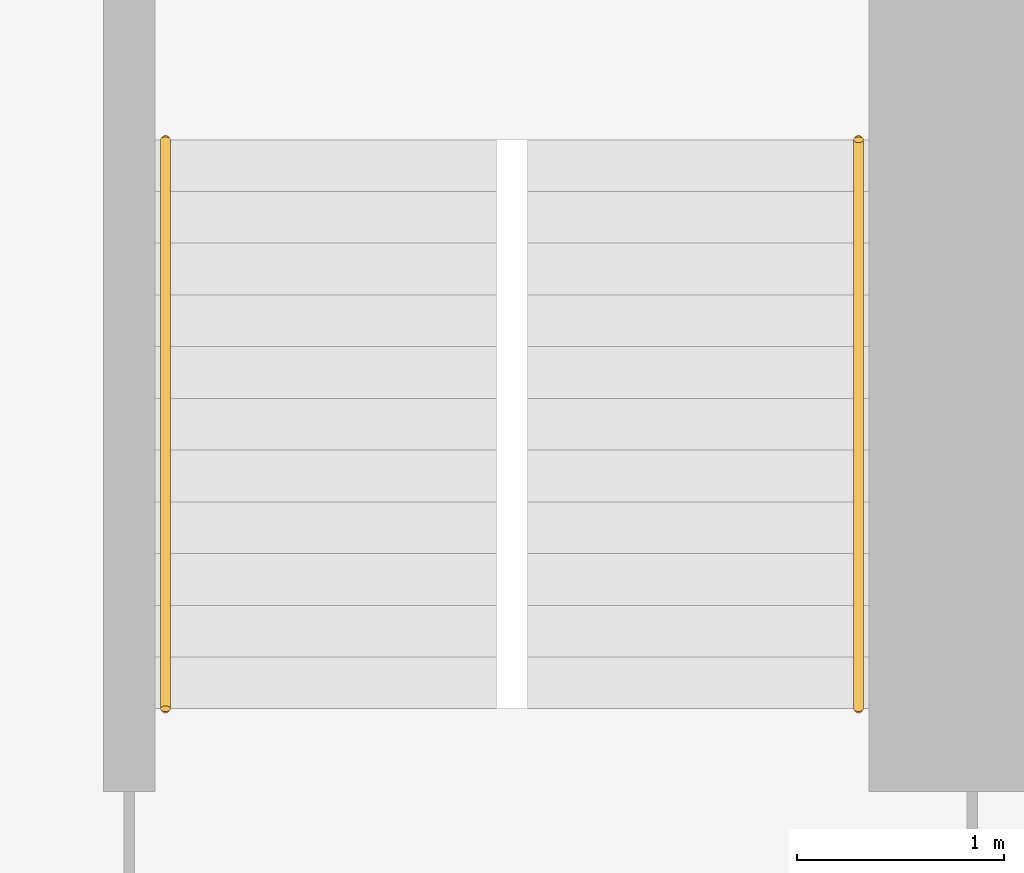
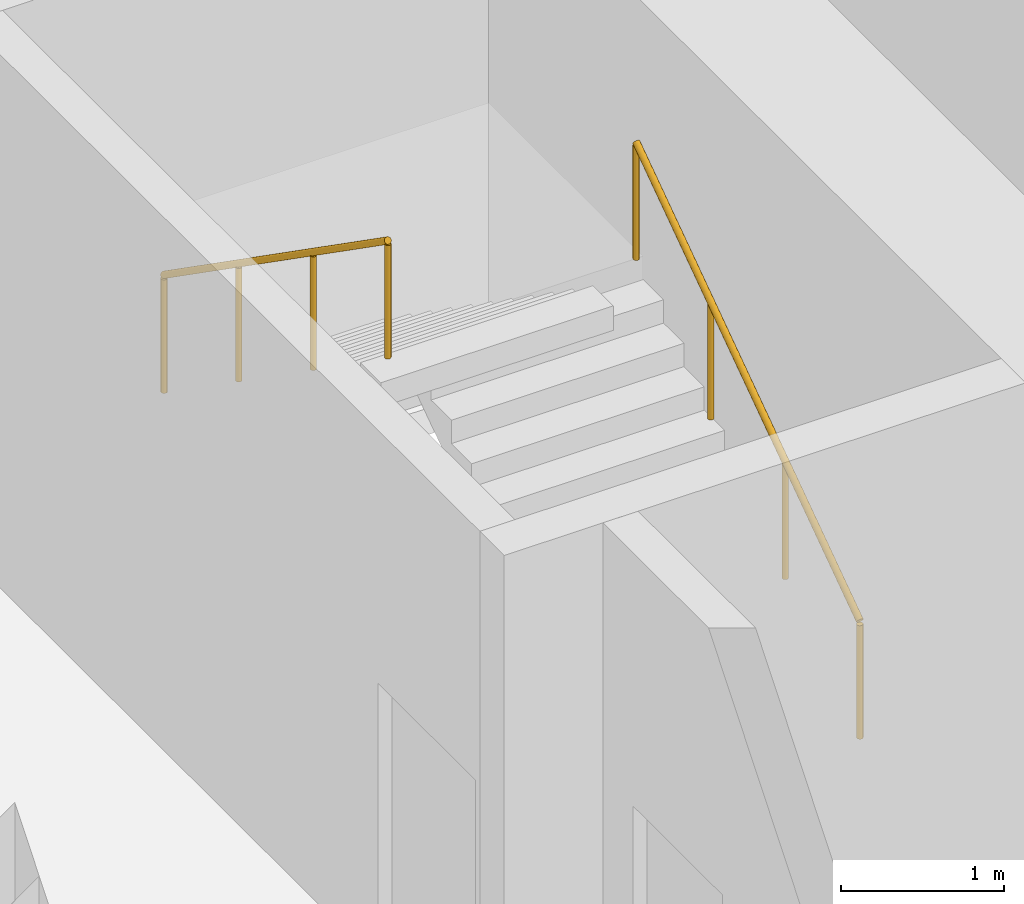
# One storey, part 10 of 10: 2 railings.
"""IFC4 building model written with IfcOpenShell, lengths in metres."""

from ifc_helpers import new_model, si_unit, direction, frame, origin, origin_2d, place, context, subcontext, project, spatial, circle, extrude, material, type_object, element, save


model = new_model("IFC4")

# Units and contexts
model_context = context("Model", 3, precision=1e-05, world=origin(), true_north=direction((0.0, 1.0)))
body_context = subcontext(model_context, "Body", "Model", "MODEL_VIEW")
ifc_project = project(units=[si_unit("LENGTHUNIT", "METRE"), si_unit("AREAUNIT", "SQUARE_METRE"), si_unit("VOLUMEUNIT", "CUBIC_METRE"), si_unit("PLANEANGLEUNIT", "RADIAN"), si_unit("MASSUNIT", "GRAM", prefix="KILO")], contexts=[model_context])

# Site, building, storey
site_placement = place(None, origin())
site = spatial("IfcSite", under=ifc_project, at=site_placement, CompositionType="ELEMENT")
building_placement = place(site_placement, origin())
building = spatial("IfcBuilding", under=site, at=building_placement, Name="Ogive Exchange Tower", CompositionType="ELEMENT")
storey_placement = place(building_placement, frame((0.0, 0.0, 73.199951171875)))
storey = spatial("IfcBuildingStorey", under=building, at=storey_placement, Name="L15", CompositionType="ELEMENT", Elevation=73.199951171875)

# Railings
ifc_material = material(Name="Stainless steel", Category="steel")
railing_type = type_object("IfcRailingType", Name="Stair handrail 900", PredefinedType="HANDRAIL", material=ifc_material)
railing_1_placement = place(storey_placement, frame((20.949951171875, 20.800048828125, 0.175048828125)))
element("IfcRailing", 1, at=railing_1_placement, inside=storey, type_object=railing_type, Name="L15 ST4 stair handrail 1", PredefinedType="HANDRAIL", context=body_context, shape_type="SweptSolid", body=[
    extrude(circle(Radius=0.02392578125, at=origin_2d()), frame((0.0, 0.0, 0.8759765625), z_axis=(0.0, 0.819225086817, 0.573472106672), x_axis=(-1.0, 0.0, 0.0)), (0.0, 0.0, 1.0), 3.35693359375),
    extrude(circle(Radius=0.02099609375, at=origin_2d()), origin(), (0.0, 0.0, 1.0), 0.851806640625),
    extrude(circle(Radius=0.02099609375, at=origin_2d()), frame((0.0, 0.916748046875, 0.6416015625)), (0.0, 0.0, 1.0), 0.851806640625),
    extrude(circle(Radius=0.02099609375, at=origin_2d()), frame((0.0, 1.833251953125, 1.283447265625)), (0.0, 0.0, 1.0), 0.851806640625),
    extrude(circle(Radius=0.02099609375, at=origin_2d()), frame((0.0, 2.75, 1.925048828125)), (0.0, 0.0, 1.0), 0.851806640625),
])
railing_2_placement = place(storey_placement, frame((17.60009765625, 23.550048828125, 2.275146484375)))
element("IfcRailing", 2, at=railing_2_placement, inside=storey, type_object=railing_type, Name="L15 ST4 stair handrail 2", PredefinedType="HANDRAIL", context=body_context, shape_type="SweptSolid", body=[
    extrude(circle(Radius=0.02392578125, at=origin_2d()), frame((0.0, 0.0, 0.8759765625), z_axis=(0.0, -0.819259255306, 0.573423292687), x_axis=(1.0, 0.0, 0.0)), (0.0, 0.0, 1.0), 3.356689453125),
    extrude(circle(Radius=0.02099609375, at=origin_2d()), origin(), (0.0, 0.0, 1.0), 0.851806640625),
    extrude(circle(Radius=0.02099609375, at=origin_2d()), frame((0.0, -0.916748046875, 0.6416015625)), (0.0, 0.0, 1.0), 0.851806640625),
    extrude(circle(Radius=0.02099609375, at=origin_2d()), frame((0.0, -1.833251953125, 1.283203125)), (0.0, 0.0, 1.0), 0.851806640625),
    extrude(circle(Radius=0.02099609375, at=origin_2d()), frame((0.0, -2.75, 1.9248046875)), (0.0, 0.0, 1.0), 0.851806640625),
])

save(model, "model.ifc")
